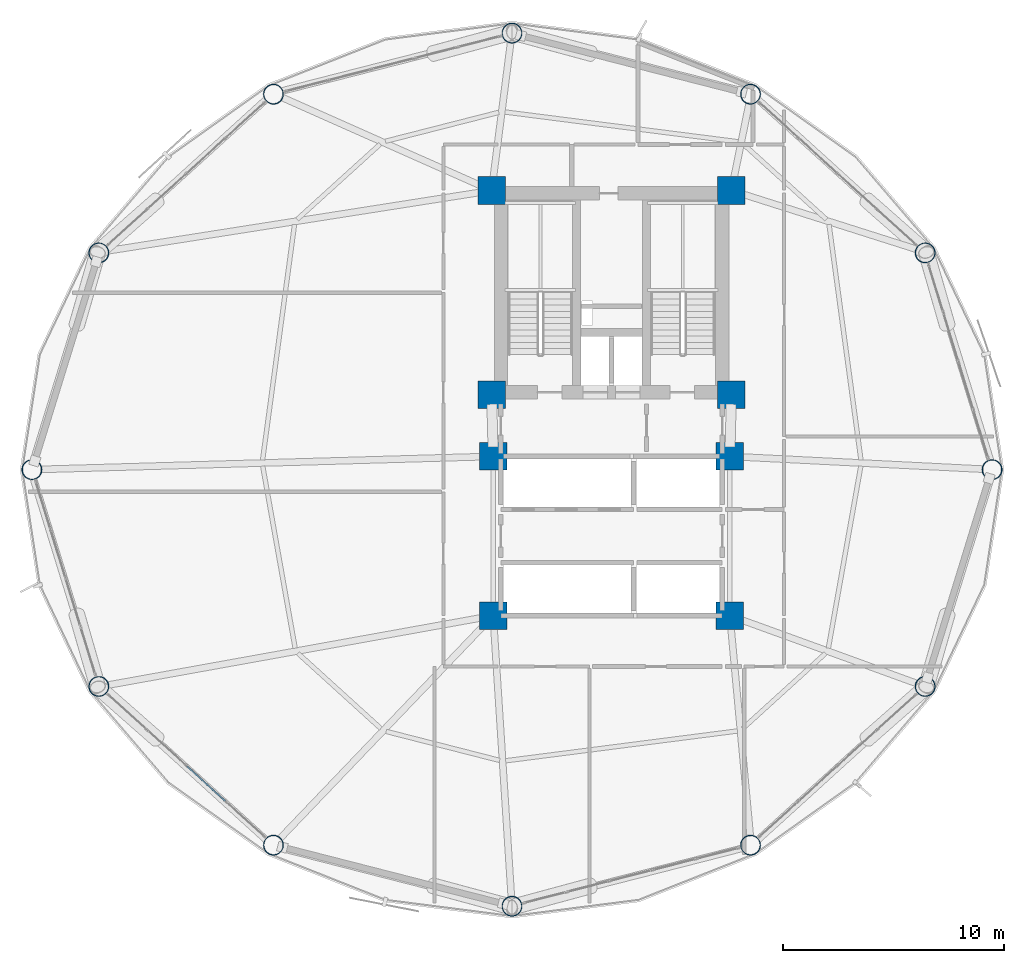
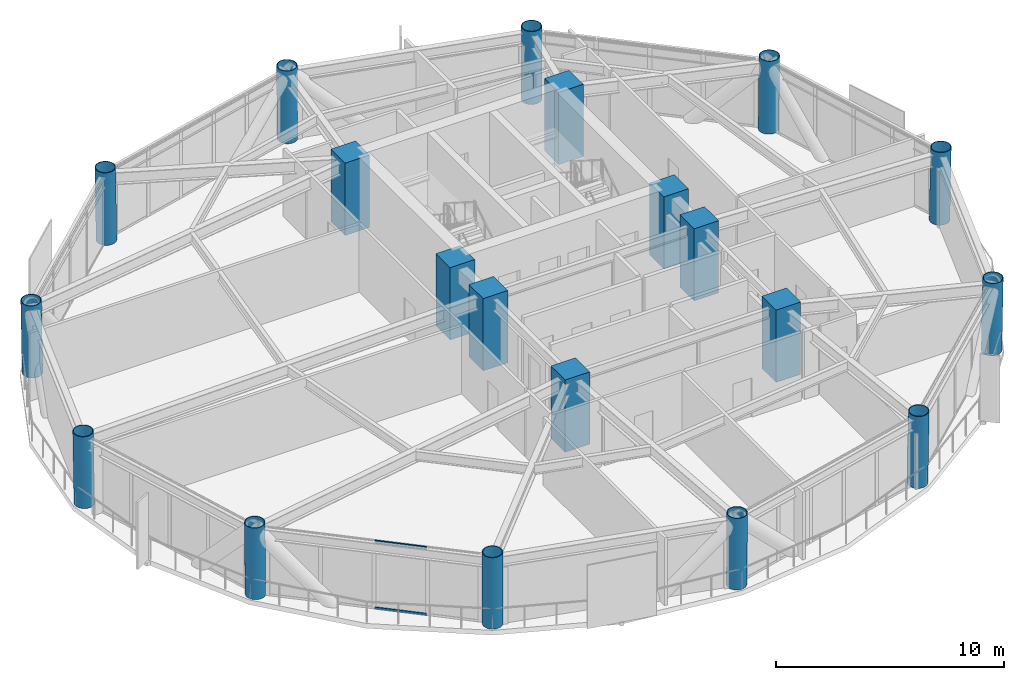
# One storey, part 1 of 25: 20 columns, 2 members, 1 element without a shape of its own.
"""IFC4 building model written with IfcOpenShell, lengths in metres."""

import ifcopenshell
import ifcopenshell.guid

model = None  # the IFC model being written
_history = None  # IfcOwnerHistory: only IFC2X3 demands one
_inside = {}  # id of a spatial element -> (the spatial element, [elements in it])
_under = {}  # id of a project, library or spatial element -> (it, [spatial elements below it])
_declared = {}  # id of a project -> (the project, [libraries it declares])
_typed = {}  # id of a type object -> (the type object, [elements of that type])
_made_of = {}  # id of a material, layer set ... -> (it, [elements and type objects made of it])


def new_model(schema):
    """Start an empty IFC model of exactly this schema.

    Asked for "IFC4X3", IfcOpenShell would pick the latest addendum, in which some entities
    have other attributes; the version numbers below select the first issue.
    IFC2X3 requires an IfcOwnerHistory on every rooted entity: one is made here for all.
    """
    global model, _history
    if schema == "IFC4X3":
        model = ifcopenshell.file(schema_version=(4, 3, 0, 0))
    else:
        model = ifcopenshell.file(schema=schema)
    _inside.clear()
    _under.clear()
    _declared.clear()
    _typed.clear()
    _made_of.clear()
    _history = None
    if model.schema == "IFC2X3":
        org = make("IfcOrganization", Name="unknown")
        user = make(
            "IfcPersonAndOrganization",
            ThePerson=make("IfcPerson", FamilyName="unknown"),
            TheOrganization=org,
        )
        app = make(
            "IfcApplication",
            ApplicationDeveloper=org,
            Version="unknown",
            ApplicationFullName="unknown",
            ApplicationIdentifier="unknown",
        )
        _history = make(
            "IfcOwnerHistory",
            OwningUser=user,
            OwningApplication=app,
            ChangeAction="ADDED",
            CreationDate=0,
        )
    return model


def make(cls, **values):
    """One entity of the class cls with the attributes given. An attribute that is None is left unset."""
    return model.create_entity(
        cls, **{name: value for name, value in values.items() if value is not None}
    )


def rooted(cls, **values):
    """An entity with a GlobalId (a new one), such as an element, a storey or a relation."""
    return make(cls, GlobalId=ifcopenshell.guid.new(), OwnerHistory=_history, **values)


def si_unit(unit_type, name, prefix=None):
    """IfcSIUnit, for example si_unit("LENGTHUNIT", "METRE", prefix="MILLI")."""
    return make("IfcSIUnit", UnitType=unit_type, Prefix=prefix, Name=name)


def assignment(units):
    """IfcUnitAssignment: the units of a project."""
    return None if units is None else make("IfcUnitAssignment", Units=units)


def point(xyz):
    """IfcCartesianPoint."""
    return None if xyz is None else make("IfcCartesianPoint", Coordinates=xyz)


def direction(xyz):
    """IfcDirection."""
    return None if xyz is None else make("IfcDirection", DirectionRatios=xyz)


def frame(location, z_axis=None, x_axis=None):
    """IfcAxis2Placement3D, a coordinate frame: its origin and axes. An axis left out is left unset."""
    return make(
        "IfcAxis2Placement3D",
        Location=point(location),
        Axis=direction(z_axis),
        RefDirection=direction(x_axis),
    )


def frame_2d(location, x_axis=None):
    """IfcAxis2Placement2D, a coordinate frame in the plane: its origin and x axis."""
    return make(
        "IfcAxis2Placement2D", Location=point(location), RefDirection=direction(x_axis)
    )


def origin():
    """The frame at (0, 0, 0) with its axes left unset."""
    return frame((0.0, 0.0, 0.0))


def origin_2d():
    """The frame at (0, 0) in the plane with its x axis left unset."""
    return frame_2d((0.0, 0.0))


def place(relative_to, where):
    """IfcLocalPlacement: puts the frame where relative to a parent placement (None: the world)."""
    return make(
        "IfcLocalPlacement", PlacementRelTo=relative_to, RelativePlacement=where
    )


def context(
    kind, dimensions, precision=None, world=None, true_north=None, identifier=None
):
    """IfcGeometricRepresentationContext, for example the 3D "Model" context."""
    return make(
        "IfcGeometricRepresentationContext",
        ContextIdentifier=identifier,
        ContextType=kind,
        CoordinateSpaceDimension=dimensions,
        Precision=precision,
        WorldCoordinateSystem=world,
        TrueNorth=true_north,
    )


def subcontext(parent, identifier, kind, view, scale=None):
    """IfcGeometricRepresentationSubContext, for example "Body" below "Model"."""
    return make(
        "IfcGeometricRepresentationSubContext",
        ContextIdentifier=identifier,
        ContextType=kind,
        ParentContext=parent,
        TargetScale=scale,
        TargetView=view,
    )


def project(units=None, contexts=None):
    """IfcProject with its units and contexts."""
    return rooted(
        "IfcProject",
        Name="project",
        RepresentationContexts=contexts,
        UnitsInContext=assignment(units),
    )


def spatial(cls, under=None, at=None, **own):
    """A site, building, storey or space (cls), placed at a placement, below another one or the project."""
    s = rooted(cls, ObjectPlacement=at, **own)
    if under is not None:
        _under.setdefault(under.id(), (under, []))[1].append(s)
    return s


def profile(cls, at=None, kind="AREA", **sizes):
    """A parametric profile (cls). Its sizes go by their IFC names, for example OverallWidth=200.0."""
    return make(cls, ProfileType=kind, Position=at, **sizes)


def rectangle(**sizes):
    """IfcRectangleProfileDef."""
    return profile("IfcRectangleProfileDef", **sizes)


def hollow_rectangle(**sizes):
    """IfcRectangleHollowProfileDef."""
    return profile("IfcRectangleHollowProfileDef", **sizes)


def hollow_circle(**sizes):
    """IfcCircleHollowProfileDef."""
    return profile("IfcCircleHollowProfileDef", **sizes)


def extrude(swept, where, along, depth):
    """IfcExtrudedAreaSolid: the profile swept, set in the frame where, extruded along a direction by depth."""
    return make(
        "IfcExtrudedAreaSolid",
        SweptArea=swept,
        Position=where,
        ExtrudedDirection=direction(along),
        Depth=depth,
    )


def shape(context_of_items, identifier, shape_type, items):
    """IfcShapeRepresentation: the items that make up one representation, for example the "Body"."""
    return make(
        "IfcShapeRepresentation",
        ContextOfItems=context_of_items,
        RepresentationIdentifier=identifier,
        RepresentationType=shape_type,
        Items=items,
    )


def material(Name=None, Category=None):
    """IfcMaterial."""
    return make("IfcMaterial", Name=Name, Category=Category)


def layer(
    of_material, thickness, ventilated=None, Name=None, Category=None, Priority=None
):
    """IfcMaterialLayer: one layer of a wall or slab, of a material (None: an air gap)."""
    return make(
        "IfcMaterialLayer",
        Material=of_material,
        LayerThickness=thickness,
        IsVentilated=ventilated,
        Name=Name,
        Category=Category,
        Priority=Priority,
    )


def layer_set(layers, Name=None):
    """IfcMaterialLayerSet."""
    return make("IfcMaterialLayerSet", MaterialLayers=layers, LayerSetName=Name)


def material_profile(
    of_material, cross_section, Name=None, Category=None, Priority=None
):
    """IfcMaterialProfile: a cross section and its material."""
    return make(
        "IfcMaterialProfile",
        Name=Name,
        Material=of_material,
        Profile=cross_section,
        Priority=Priority,
        Category=Category,
    )


def profile_set(profiles, Name=None, composite=None):
    """IfcMaterialProfileSet."""
    return make(
        "IfcMaterialProfileSet",
        Name=Name,
        MaterialProfiles=profiles,
        CompositeProfile=composite,
    )


def made_of(thing, what):
    """Note that an element or type object is made of a material, layer set ...; save() writes the relation."""
    if what is not None:
        _made_of.setdefault(what.id(), (what, []))[1].append(thing)
    return thing


def type_object(cls, material=None, **own):
    """A type object (cls), such as IfcWallType, which elements share."""
    return made_of(rooted(cls, **own), material)


def element(
    cls,
    number,
    at=None,
    inside=None,
    cuts=None,
    type_object=None,
    material=None,
    context=None,
    identifier="Body",
    shape_type=None,
    held_by="IfcProductDefinitionShape",
    body=None,
    shapes=None,
    **own,
):
    """One element of the class cls, such as IfcWall. Its Tag is "e" and its number.

    at: its placement. inside: the storey or other place that contains it. cuts: it is an
    opening in that element (IfcRelVoidsElement). A single representation is given by context,
    identifier, shape_type and body (its items); several are given by shapes. held_by: the class
    of the entity that holds the representations. save() writes the other relations.
    """
    e = rooted(cls, Tag="e%d" % number, ObjectPlacement=at, **own)
    if body is not None:
        shapes = [shape(context, identifier, shape_type, body)]
    if shapes is not None:
        e.Representation = make(held_by, Representations=shapes)
    if inside is not None:
        _inside.setdefault(inside.id(), (inside, []))[1].append(e)
    if cuts is not None:
        rooted(
            "IfcRelVoidsElement", RelatingBuildingElement=cuts, RelatedOpeningElement=e
        )
    if type_object is not None:
        _typed.setdefault(type_object.id(), (type_object, []))[1].append(e)
    return made_of(e, material)


def aggregate(whole, parts):
    """IfcRelAggregates: a whole, such as a stair, and the parts it consists of."""
    return rooted("IfcRelAggregates", RelatingObject=whole, RelatedObjects=parts)


def save(model, path):
    """Write the relations noted so far, then the file.

    IfcRelAggregates (storeys below a building ...), IfcRelContainedInSpatialStructure (elements
    in a storey), IfcRelDefinesByType, IfcRelAssociatesMaterial and IfcRelDeclares: one each for
    every whole, place, type object, material and project.
    """
    for whole, parts in _under.values():
        aggregate(whole, parts)
    for where, things in _inside.values():
        rooted(
            "IfcRelContainedInSpatialStructure",
            RelatedElements=things,
            RelatingStructure=where,
        )
    for kind, things in _typed.values():
        rooted("IfcRelDefinesByType", RelatedObjects=things, RelatingType=kind)
    for what, things in _made_of.values():
        rooted("IfcRelAssociatesMaterial", RelatedObjects=things, RelatingMaterial=what)
    for by, libraries in _declared.values():
        rooted("IfcRelDeclares", RelatingContext=by, RelatedDefinitions=libraries)
    model.write(path)


model = new_model("IFC4")

# Units and contexts
model_context = context("Model", 3, precision=1e-05, world=origin(), true_north=direction((0.0, 1.0)))
body_context = subcontext(model_context, "Body", "Model", "MODEL_VIEW")
ifc_project = project(units=[si_unit("LENGTHUNIT", "METRE"), si_unit("AREAUNIT", "SQUARE_METRE"), si_unit("VOLUMEUNIT", "CUBIC_METRE"), si_unit("PLANEANGLEUNIT", "RADIAN"), si_unit("MASSUNIT", "GRAM", prefix="KILO")], contexts=[model_context])

# Site, building, storey
site_placement = place(None, origin())
site = spatial("IfcSite", under=ifc_project, at=site_placement, CompositionType="ELEMENT")
building_placement = place(site_placement, origin())
building = spatial("IfcBuilding", under=site, at=building_placement, Name="Varnakorn Sky Granary", CompositionType="ELEMENT")
storey_placement = place(building_placement, frame((0.0, 0.0, 70.5)))
storey = spatial("IfcBuildingStorey", under=building, at=storey_placement, Name="L17", CompositionType="ELEMENT", Elevation=70.5)

# Columns
ifc_material_1 = material(Name="Steel S460M", Category="steel")
ifc_material_profile_1 = material_profile(ifc_material_1, hollow_circle(Radius=0.45703125, WallThickness=0.031982421875, at=origin_2d()), Name="CHS 914x32")
ifc_profile_set_1 = profile_set([ifc_material_profile_1], Name="Steel S460M")
column_type_1 = type_object("IfcColumnType", Name="COL-DC-Z1", PredefinedType="COLUMN", material=ifc_profile_set_1)
for number, where, z_axis, x_axis, name in (
    (1, (20.194091796875, 0.0, 0.0), (0.017512434946, 0.0, 0.999846645552), (0.0, 1.0, 0.0), "Drum Perimeter Column DC01 L17"),
    (2, (17.170654296875, 9.797119140625, 0.0), (0.015181883237, 0.00667750881, 0.999862451189), (-0.402611324177, 0.915371029498, 0.0), "Drum Perimeter Column DC02 L17"),
    (3, (9.279541015625, 16.968994140625, 0.0), (0.008756636329, 0.011591518593, 0.999894473441), (-0.797913671947, 0.602771741308, 0.0), "Drum Perimeter Column DC03 L17"),
):
    element("IfcColumn", number, at=place(storey_placement, frame(where, z_axis=z_axis, x_axis=x_axis)), inside=storey, type_object=column_type_1, Name=name, PredefinedType="COLUMN", context=body_context, shape_type="SweptSolid", body=[
        extrude(hollow_circle(Radius=0.45703125, WallThickness=0.031982421875, at=origin_2d()), origin(), (0.0, 0.0, 1.0), 3.87548828125),
    ])
column_1_placement = place(storey_placement, frame((-1.5, 19.72900390625, 0.0), z_axis=(0.0, 0.013418650625, 0.999909965855), x_axis=(-1.0, 0.0, 0.0)))
element("IfcColumn", 4, at=column_1_placement, inside=storey, type_object=column_type_1, Name="Drum Perimeter Column DC04 L17", PredefinedType="COLUMN", context=body_context, shape_type="SweptSolid", body=[
    extrude(hollow_circle(Radius=0.45703125, WallThickness=0.031982421875, at=origin_2d()), origin(), (0.0, 0.0, 1.0), 3.875244140625),
])
for number, where, z_axis, x_axis, name in (
    (5, (-12.279541015625, 16.968994140625, 0.0), (-0.008756636329, 0.011591518593, 0.999894473441), (-0.797913671947, -0.602771741308, 0.0), "Drum Perimeter Column DC05 L17"),
    (6, (-20.170654296875, 9.797119140625, 0.0), (-0.015181883237, 0.00667750881, 0.999862451189), (-0.402611324177, -0.915371029498, 0.0), "Drum Perimeter Column DC06 L17"),
    (7, (-23.194091796875, 0.0, 0.0), (-0.017512434946, 0.0, 0.999846645552), (0.0, -1.0, 0.0), "Drum Perimeter Column DC07 L17"),
    (8, (-20.170654296875, -9.797119140625, 0.0), (-0.015181883237, -0.00667750881, 0.999862451189), (0.402611324177, -0.915371029498, 0.0), "Drum Perimeter Column DC08 L17"),
    (9, (-12.279541015625, -16.968994140625, 0.0), (-0.008756636329, -0.011591518593, 0.999894473441), (0.797913671947, -0.602771741308, 0.0), "Drum Perimeter Column DC09 L17"),
):
    element("IfcColumn", number, at=place(storey_placement, frame(where, z_axis=z_axis, x_axis=x_axis)), inside=storey, type_object=column_type_1, Name=name, PredefinedType="COLUMN", context=body_context, shape_type="SweptSolid", body=[
        extrude(hollow_circle(Radius=0.45703125, WallThickness=0.031982421875, at=origin_2d()), origin(), (0.0, 0.0, 1.0), 3.87548828125),
    ])
column_2_placement = place(storey_placement, frame((-1.5, -19.72900390625, 0.0), z_axis=(0.0, -0.013418650625, 0.999909965855), x_axis=(1.0, 0.0, 0.0)))
element("IfcColumn", 10, at=column_2_placement, inside=storey, type_object=column_type_1, Name="Drum Perimeter Column DC10 L17", PredefinedType="COLUMN", context=body_context, shape_type="SweptSolid", body=[
    extrude(hollow_circle(Radius=0.45703125, WallThickness=0.031982421875, at=origin_2d()), origin(), (0.0, 0.0, 1.0), 3.875244140625),
])
for number, where, z_axis, x_axis, name in (
    (11, (9.279541015625, -16.968994140625, 0.0), (0.008756636329, -0.011591518593, 0.999894473441), (0.797913671947, 0.602771741308, 0.0), "Drum Perimeter Column DC11 L17"),
    (12, (17.170654296875, -9.797119140625, 0.0), (0.015181883237, -0.00667750881, 0.999862451189), (0.402611324177, 0.915371029498, 0.0), "Drum Perimeter Column DC12 L17"),
):
    element("IfcColumn", number, at=place(storey_placement, frame(where, z_axis=z_axis, x_axis=x_axis)), inside=storey, type_object=column_type_1, Name=name, PredefinedType="COLUMN", context=body_context, shape_type="SweptSolid", body=[
        extrude(hollow_circle(Radius=0.45703125, WallThickness=0.031982421875, at=origin_2d()), origin(), (0.0, 0.0, 1.0), 3.87548828125),
    ])
ifc_material_2 = material(Name="Concrete C60/75", Category="concrete")
ifc_material_profile_2 = material_profile(ifc_material_2, rectangle(XDim=1.25, YDim=1.25, at=origin_2d()), Name="RC 1250x1250")
ifc_profile_set_2 = profile_set([ifc_material_profile_2], Name="Concrete C60/75")
column_type_2 = type_object("IfcColumnType", Name="COL-MC-Z1", PredefinedType="COLUMN", material=ifc_profile_set_2)
for number, where, z_axis, x_axis, name in (
    (13, (-2.419921875, 12.6201171875, 0.0), (0.0, 0.0, 1.0), (1.0, 0.0, 0.0), "Backbone Mega-Column MC1 L17"),
    (14, (8.419921875, 12.6201171875, 0.0), (0.0, 0.0, 1.0), (1.0, 0.0, 0.0), "Backbone Mega-Column MC2 L17"),
    (15, (-2.419921875, 3.3798828125, 0.0), (0.0, 0.0, 1.0), (1.0, 0.0, 0.0), "Backbone Mega-Column MC3 L17"),
    (16, (8.419921875, 3.3798828125, 0.0), (0.0, 0.0, 1.0), (1.0, 0.0, 0.0), "Backbone Mega-Column MC4 L17"),
    (17, (-2.35009765625, 0.60009765625, 0.0), (0.0, 0.0, 1.0), (1.0, 0.0, 0.0), "Backbone Mega-Column MC5 L17"),
    (18, (8.35009765625, 0.60009765625, 0.0), (0.0, 0.0, 1.0), (1.0, 0.0, 0.0), "Backbone Mega-Column MC6 L17"),
    (19, (-2.35009765625, -6.60009765625, 0.0), (0.0, 0.0, 1.0), (1.0, 0.0, 0.0), "Backbone Mega-Column MC7 L17"),
    (20, (8.35009765625, -6.60009765625, 0.0), (0.0, 0.0, 1.0), (1.0, 0.0, 0.0), "Backbone Mega-Column MC8 L17"),
):
    element("IfcColumn", number, at=place(storey_placement, frame(where, z_axis=z_axis, x_axis=x_axis)), inside=storey, type_object=column_type_2, Name=name, PredefinedType="COLUMN", context=body_context, shape_type="SweptSolid", body=[
        extrude(rectangle(XDim=1.25, YDim=1.25, at=origin_2d()), origin(), (0.0, 0.0, 1.0), 3.875),
    ])

# Curtain wall, members
ifc_material_3 = material(Name="Anodised Bronze Aluminium Alloy 6063-T6", Category="aluminium")
ifc_layer = layer(ifc_material_3, 0.18994140625, Name="Anodised Bronze Aluminium Alloy 6063-T6")
ifc_layer_set = layer_set([ifc_layer], Name="Anodised Bronze Aluminium Alloy 6063-T6")
curtain_wall_type = type_object("IfcCurtainWallType", Name="CW-FRM-1", PredefinedType="USERDEFINED", material=ifc_layer_set)
curtain_wall_placement = place(storey_placement, origin())
curtain_wall = element("IfcCurtainWall", 21, at=curtain_wall_placement, inside=storey, type_object=curtain_wall_type, Name="Unitised Curtain Wall CW3 CW-L17-B08", ObjectType="CURTAIN WALL", PredefinedType="USERDEFINED")
ifc_material_profile_3 = material_profile(ifc_material_3, hollow_rectangle(XDim=0.070068359375, YDim=0.139892578125, WallThickness=0.00341796875, at=origin_2d()), Name="ALU TRAN 70x140")
ifc_profile_set_3 = profile_set([ifc_material_profile_3], Name="Anodised Bronze Aluminium Alloy 6063-T6")
member_type = type_object("IfcMemberType", Name="CW-FRM-1-TRAN", PredefinedType="USERDEFINED", material=ifc_profile_set_3)
member_1_placement = place(storey_placement, frame((-14.469482421875, -14.978515625, 0.034912109375), z_axis=(-0.740039317957, 0.672563608797, 0.0), x_axis=(-0.672563608797, -0.740039317957, 0.0)))
member_1 = element("IfcMember", 22, at=member_1_placement, type_object=member_type, Name="CW3 transom 2.1", ObjectType="TRANSOM", PredefinedType="USERDEFINED", context=body_context, shape_type="SweptSolid", body=[
    extrude(hollow_rectangle(XDim=0.070068359375, YDim=0.139892578125, WallThickness=0.00341796875, at=origin_2d()), origin(), (0.0, 0.0, 1.0), 2.33740234375),
])
member_2_placement = place(storey_placement, frame((-14.469482421875, -14.978515625, 3.60498046875), z_axis=(-0.740039317957, 0.672563608797, 0.0), x_axis=(-0.672563608797, -0.740039317957, 0.0)))
member_2 = element("IfcMember", 23, at=member_2_placement, type_object=member_type, Name="CW3 transom 2.2", ObjectType="TRANSOM", PredefinedType="USERDEFINED", context=body_context, shape_type="SweptSolid", body=[
    extrude(hollow_rectangle(XDim=0.070068359375, YDim=0.139892578125, WallThickness=0.00341796875, at=origin_2d()), origin(), (0.0, 0.0, 1.0), 2.33740234375),
])
aggregate(curtain_wall, [member_1, member_2])

save(model, "model.ifc")
